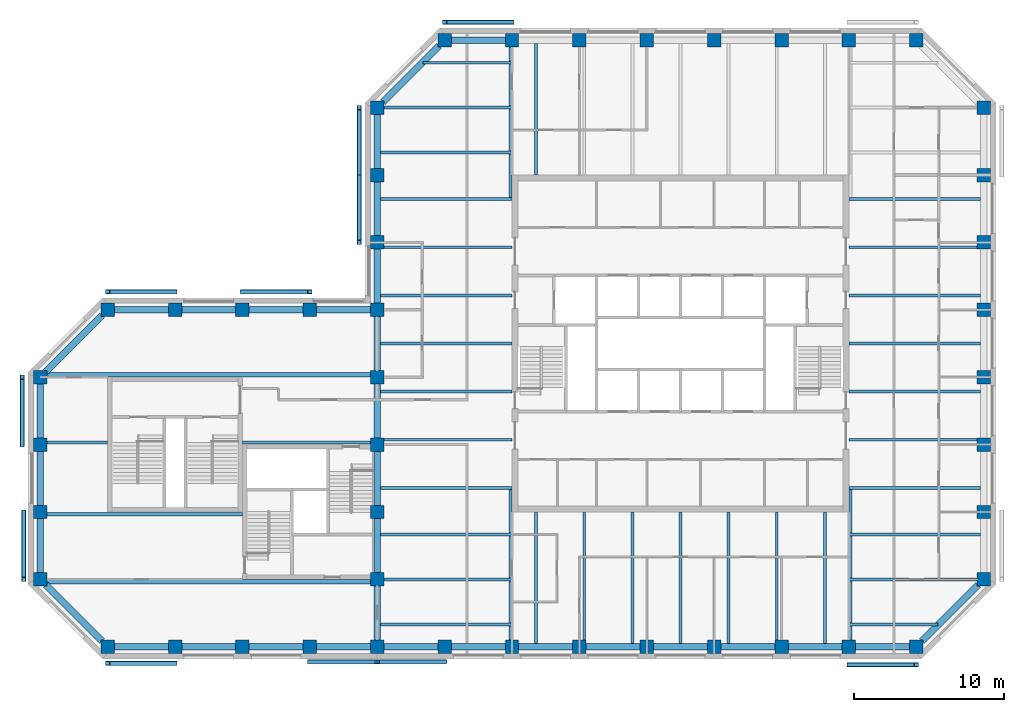
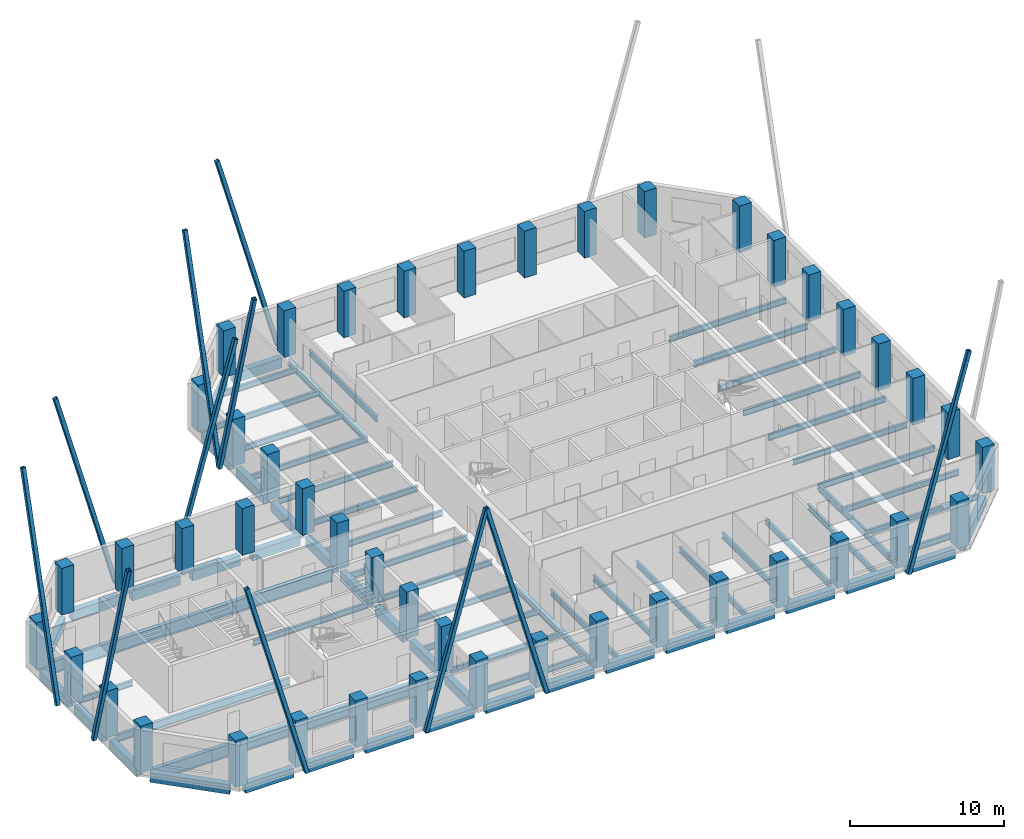
# One storey, part 1 of 9: 71 beams, 45 columns, 11 members.
"""IFC4 building model written with IfcOpenShell, lengths in metres."""

from ifc_helpers import new_model, si_unit, direction, frame, origin, origin_2d, place, context, subcontext, project, spatial, rectangle, hollow_rectangle, i_section, extrude, material, material_profile, profile_set, type_object, element, save


model = new_model("IFC4")

# Units and contexts
model_context = context("Model", 3, precision=1e-05, world=origin(), true_north=direction((0.0, 1.0)))
body_context = subcontext(model_context, "Body", "Model", "MODEL_VIEW")
ifc_project = project(units=[si_unit("LENGTHUNIT", "METRE"), si_unit("AREAUNIT", "SQUARE_METRE"), si_unit("VOLUMEUNIT", "CUBIC_METRE"), si_unit("PLANEANGLEUNIT", "RADIAN"), si_unit("MASSUNIT", "GRAM", prefix="KILO")], contexts=[model_context])

# Site, building, storey
site_placement = place(None, origin())
site = spatial("IfcSite", under=ifc_project, at=site_placement, CompositionType="ELEMENT")
building_placement = place(site_placement, origin())
building = spatial("IfcBuilding", under=site, at=building_placement, Name="Quoin Convention Tower", CompositionType="ELEMENT")
storey_placement = place(building_placement, frame((0.0, 0.0, 203.199951171875)))
storey = spatial("IfcBuildingStorey", under=building, at=storey_placement, Name="L53", CompositionType="ELEMENT", Elevation=203.199951171875)

# Columns
ifc_material_1 = material(Name="Concrete C50", Category="concrete")
ifc_material_profile_1 = material_profile(ifc_material_1, rectangle(XDim=0.89990234375, YDim=0.89990234375, at=origin_2d()), Name="RC 900x900")
ifc_profile_set_1 = profile_set([ifc_material_profile_1], Name="Concrete C50")
column_type = type_object("IfcColumnType", Name="RC 900x900 C50", PredefinedType="COLUMN", material=ifc_profile_set_1)
for number, where, z_axis, x_axis, name in (
    (1, (18.0, 40.5, 0.0), (0.0, 0.0, 1.0), (1.0, 0.0, 0.0), "col-L53-18000_40500"),
    (2, (22.5, 40.5, 0.0), (0.0, 0.0, 1.0), (1.0, 0.0, 0.0), "col-L53-22500_40500"),
    (3, (27.0, 40.5, 0.0), (0.0, 0.0, 1.0), (1.0, 0.0, 0.0), "col-L53-27000_40500"),
    (4, (31.5, 40.5, 0.0), (0.0, 0.0, 1.0), (1.0, 0.0, 0.0), "col-L53-31500_40500"),
    (5, (36.0, 40.5, 0.0), (0.0, 0.0, 1.0), (1.0, 0.0, 0.0), "col-L53-36000_40500"),
    (6, (40.5, 40.5, 0.0), (0.0, 0.0, 1.0), (1.0, 0.0, 0.0), "col-L53-40500_40500"),
    (7, (45.0, 40.5, 0.0), (0.0, 0.0, 1.0), (1.0, 0.0, 0.0), "col-L53-45000_40500"),
    (8, (49.5, 40.5, 0.0), (0.0, 0.0, 1.0), (1.0, 0.0, 0.0), "col-L53-49500_40500"),
    (9, (54.0, 40.5, 0.0), (0.0, 0.0, 1.0), (1.0, 0.0, 0.0), "col-L53-54000_40500"),
    (10, (58.5, 40.5, 0.0), (0.0, 0.0, 1.0), (1.0, 0.0, 0.0), "col-L53-58500_40500"),
    (11, (63.0, 40.5, 0.0), (0.0, 0.0, 1.0), (1.0, 0.0, 0.0), "col-L53-63000_40500"),
    (12, (67.5, 40.5, 0.0), (0.0, 0.0, 1.0), (1.0, 0.0, 0.0), "col-L53-67500_40500"),
    (13, (72.0, 40.5, 0.0), (0.0, 0.0, 1.0), (1.0, 0.0, 0.0), "col-L53-72000_40500"),
    (14, (13.5, 45.0, 0.0), (0.0, 0.0, 1.0), (1.0, 0.0, 0.0), "col-L53-13500_45000"),
    (15, (36.0, 45.0, 0.0), (0.0, 0.0, 1.0), (1.0, 0.0, 0.0), "web-L53-36000_45000"),
    (16, (76.5, 45.0, 0.0), (0.0, 0.0, 1.0), (1.0, 0.0, 0.0), "col-L53-76500_45000"),
    (17, (13.5, 49.5, 0.0), (0.0, 0.0, 1.0), (1.0, 0.0, 0.0), "col-L53-13500_49500"),
    (18, (36.0, 49.5, 0.0), (0.0, 0.0, 1.0), (1.0, 0.0, 0.0), "web-L53-36000_49500"),
    (19, (76.5, 49.5, 0.0), (0.0, 0.0, 1.0), (1.0, 0.0, 0.0), "col-L53-76500_49500"),
    (20, (13.5, 54.0, 0.0), (0.0, 0.0, 1.0), (1.0, 0.0, 0.0), "col-L53-13500_54000"),
    (21, (36.0, 54.0, 0.0), (0.0, 0.0, 1.0), (1.0, 0.0, 0.0), "web-L53-36000_54000"),
    (22, (76.5, 54.0, 0.0), (0.0, 0.0, 1.0), (1.0, 0.0, 0.0), "col-L53-76500_54000"),
    (23, (13.5, 58.5, 0.0), (0.0, 0.0, 1.0), (1.0, 0.0, 0.0), "col-L53-13500_58500"),
    (24, (36.0, 58.5, 0.0), (0.0, 0.0, 1.0), (1.0, 0.0, 0.0), "web-L53-36000_58500"),
    (25, (76.5, 58.5, 0.0), (0.0, 0.0, 1.0), (1.0, 0.0, 0.0), "col-L53-76500_58500"),
    (26, (18.0, 63.0, 0.0), (0.0, 0.0, 1.0), (1.0, 0.0, 0.0), "col-L53-18000_63000"),
    (27, (22.5, 63.0, 0.0), (0.0, 0.0, 1.0), (1.0, 0.0, 0.0), "col-L53-22500_63000"),
    (28, (27.0, 63.0, 0.0), (0.0, 0.0, 1.0), (1.0, 0.0, 0.0), "col-L53-27000_63000"),
    (29, (31.5, 63.0, 0.0), (0.0, 0.0, 1.0), (1.0, 0.0, 0.0), "col-L53-31500_63000"),
    (30, (36.0, 63.0, 0.0), (0.0, 0.0, 1.0), (1.0, 0.0, 0.0), "col-L53-36000_63000"),
    (31, (76.5, 63.0, 0.0), (0.0, 0.0, 1.0), (1.0, 0.0, 0.0), "col-L53-76500_63000"),
    (32, (36.0, 67.5, 0.0), (0.0, 0.0, 1.0), (1.0, 0.0, 0.0), "col-L53-36000_67500"),
    (33, (76.5, 67.5, 0.0), (0.0, 0.0, 1.0), (1.0, 0.0, 0.0), "col-L53-76500_67500"),
    (34, (36.0, 72.0, 0.0), (0.0, 0.0, 1.0), (1.0, 0.0, 0.0), "col-L53-36000_72000"),
    (35, (76.5, 72.0, 0.0), (0.0, 0.0, 1.0), (1.0, 0.0, 0.0), "col-L53-76500_72000"),
    (36, (36.0, 76.5, 0.0), (0.0, 0.0, 1.0), (1.0, 0.0, 0.0), "col-L53-36000_76500"),
    (37, (76.5, 76.5, 0.0), (0.0, 0.0, 1.0), (1.0, 0.0, 0.0), "col-L53-76500_76500"),
    (38, (40.5, 81.0, 0.0), (0.0, 0.0, 1.0), (1.0, 0.0, 0.0), "col-L53-40500_81000"),
    (39, (45.0, 81.0, 0.0), (0.0, 0.0, 1.0), (1.0, 0.0, 0.0), "col-L53-45000_81000"),
    (40, (49.5, 81.0, 0.0), (0.0, 0.0, 1.0), (1.0, 0.0, 0.0), "col-L53-49500_81000"),
    (41, (54.0, 81.0, 0.0), (0.0, 0.0, 1.0), (1.0, 0.0, 0.0), "col-L53-54000_81000"),
    (42, (58.5, 81.0, 0.0), (0.0, 0.0, 1.0), (1.0, 0.0, 0.0), "col-L53-58500_81000"),
    (43, (63.0, 81.0, 0.0), (0.0, 0.0, 1.0), (1.0, 0.0, 0.0), "col-L53-63000_81000"),
    (44, (67.5, 81.0, 0.0), (0.0, 0.0, 1.0), (1.0, 0.0, 0.0), "col-L53-67500_81000"),
    (45, (72.0, 81.0, 0.0), (0.0, 0.0, 1.0), (1.0, 0.0, 0.0), "col-L53-72000_81000"),
):
    element("IfcColumn", number, at=place(storey_placement, frame(where, z_axis=z_axis, x_axis=x_axis)), inside=storey, type_object=column_type, Name=name, PredefinedType="COLUMN", context=body_context, shape_type="SweptSolid", body=[
        extrude(rectangle(XDim=0.89990234375, YDim=0.89990234375, at=origin_2d()), origin(), (0.0, 0.0, 1.0), 3.699951171875),
    ])

# Beams
ifc_material_2 = material(Name="Steel Grade 300", Category="steel")
ifc_material_profile_2 = material_profile(ifc_material_2, i_section(OverallWidth=0.300048828125, OverallDepth=1.0, WebThickness=0.01611328125, FlangeThickness=0.02001953125, at=origin_2d()), Name="1000WB215")
ifc_profile_set_2 = profile_set([ifc_material_profile_2], Name="Steel Grade 300")
beam_type_1 = type_object("IfcBeamType", Name="1000WB215", PredefinedType="BEAM", material=ifc_profile_set_2)
for number, where, z_axis, x_axis, name in (
    (46, (13.949951171875, 44.85009765625, -0.64990234375), (1.0, 0.0, 0.0), (0.0, 1.0, 0.0), "gir-L53-ST2-1-0"),
    (47, (13.949951171875, 58.64990234375, -0.64990234375), (1.0, 0.0, 0.0), (0.0, 1.0, 0.0), "gir-L53-ST2-4-0"),
):
    element("IfcBeam", number, at=place(storey_placement, frame(where, z_axis=z_axis, x_axis=x_axis)), inside=storey, type_object=beam_type_1, Name=name, PredefinedType="BEAM", context=body_context, shape_type="SweptSolid", body=[
        extrude(i_section(OverallWidth=0.300048828125, OverallDepth=1.0, WebThickness=0.01611328125, FlangeThickness=0.02001953125, at=origin_2d()), origin(), (0.0, 0.0, 1.0), 21.60009765625),
    ])
ifc_material_profile_3 = material_profile(ifc_material_2, i_section(OverallWidth=0.18994140625, OverallDepth=0.4541015625, WebThickness=0.008544921875, FlangeThickness=0.0126953125, FilletRadius=0.011474609375, at=origin_2d()), Name="460UB67.1")
ifc_profile_set_3 = profile_set([ifc_material_profile_3], Name="Steel Grade 300")
beam_type_2 = type_object("IfcBeamType", Name="460UB67.1", PredefinedType="BEAM", material=ifc_profile_set_3)
beam_1_placement = place(storey_placement, frame((36.22509765625, 51.107177734375, -0.376953125), z_axis=(1.0, 0.0, 0.0), x_axis=(0.0, 1.0, 0.0)))
element("IfcBeam", 48, at=beam_1_placement, inside=storey, type_object=beam_type_2, Name="bm-L53-T1W0", PredefinedType="BEAM", context=body_context, shape_type="SweptSolid", body=[
    extrude(i_section(OverallWidth=0.18994140625, OverallDepth=0.4541015625, WebThickness=0.008544921875, FlangeThickness=0.0126953125, FilletRadius=0.011474609375, at=origin_2d()), origin(), (0.0, 0.0, 1.0), 8.77490234375),
])
beam_2_placement = place(storey_placement, frame((36.449951171875, 54.3212890625, -0.376953125), z_axis=(1.0, 0.0, 0.0), x_axis=(0.0, 1.0, 0.0)))
element("IfcBeam", 49, at=beam_2_placement, inside=storey, type_object=beam_type_2, Name="bm-L53-T1W1", PredefinedType="BEAM", context=body_context, shape_type="SweptSolid", body=[
    extrude(i_section(OverallWidth=0.18994140625, OverallDepth=0.4541015625, WebThickness=0.008544921875, FlangeThickness=0.0126953125, FilletRadius=0.011474609375, at=origin_2d()), origin(), (0.0, 0.0, 1.0), 8.550048828125),
])
for number, where, z_axis, x_axis, name in (
    (50, (36.22509765625, 57.53564453125, -0.376953125), (1.0, 0.0, 0.0), (0.0, 1.0, 0.0), "bm-L53-T1W2"),
    (51, (36.22509765625, 60.75, -0.376953125), (1.0, 0.0, 0.0), (0.0, 1.0, 0.0), "bm-L53-T1W3"),
    (52, (36.22509765625, 63.96435546875, -0.376953125), (1.0, 0.0, 0.0), (0.0, 1.0, 0.0), "bm-L53-T1W4"),
):
    element("IfcBeam", number, at=place(storey_placement, frame(where, z_axis=z_axis, x_axis=x_axis)), inside=storey, type_object=beam_type_2, Name=name, PredefinedType="BEAM", context=body_context, shape_type="SweptSolid", body=[
        extrude(i_section(OverallWidth=0.18994140625, OverallDepth=0.4541015625, WebThickness=0.008544921875, FlangeThickness=0.0126953125, FilletRadius=0.011474609375, at=origin_2d()), origin(), (0.0, 0.0, 1.0), 8.77490234375),
    ])
beam_3_placement = place(storey_placement, frame((36.449951171875, 67.1787109375, -0.376953125), z_axis=(1.0, 0.0, 0.0), x_axis=(0.0, 1.0, 0.0)))
element("IfcBeam", 53, at=beam_3_placement, inside=storey, type_object=beam_type_2, Name="bm-L53-T1W5", PredefinedType="BEAM", context=body_context, shape_type="SweptSolid", body=[
    extrude(i_section(OverallWidth=0.18994140625, OverallDepth=0.4541015625, WebThickness=0.008544921875, FlangeThickness=0.0126953125, FilletRadius=0.011474609375, at=origin_2d()), origin(), (0.0, 0.0, 1.0), 8.550048828125),
])
for number, where, z_axis, x_axis, name in (
    (54, (36.22509765625, 70.392822265625, -0.376953125), (1.0, 0.0, 0.0), (0.0, 1.0, 0.0), "bm-L53-T1W6"),
    (55, (67.5, 51.107177734375, -0.376953125), (1.0, 0.0, 0.0), (0.0, 1.0, 0.0), "bm-L53-T1E0"),
):
    element("IfcBeam", number, at=place(storey_placement, frame(where, z_axis=z_axis, x_axis=x_axis)), inside=storey, type_object=beam_type_2, Name=name, PredefinedType="BEAM", context=body_context, shape_type="SweptSolid", body=[
        extrude(i_section(OverallWidth=0.18994140625, OverallDepth=0.4541015625, WebThickness=0.008544921875, FlangeThickness=0.0126953125, FilletRadius=0.011474609375, at=origin_2d()), origin(), (0.0, 0.0, 1.0), 8.77490234375),
    ])
beam_4_placement = place(storey_placement, frame((67.5, 54.3212890625, -0.376953125), z_axis=(1.0, 0.0, 0.0), x_axis=(0.0, 1.0, 0.0)))
element("IfcBeam", 56, at=beam_4_placement, inside=storey, type_object=beam_type_2, Name="bm-L53-T1E1", PredefinedType="BEAM", context=body_context, shape_type="SweptSolid", body=[
    extrude(i_section(OverallWidth=0.18994140625, OverallDepth=0.4541015625, WebThickness=0.008544921875, FlangeThickness=0.0126953125, FilletRadius=0.011474609375, at=origin_2d()), origin(), (0.0, 0.0, 1.0), 8.550048828125),
])
for number, where, z_axis, x_axis, name in (
    (57, (67.5, 57.53564453125, -0.376953125), (1.0, 0.0, 0.0), (0.0, 1.0, 0.0), "bm-L53-T1E2"),
    (58, (67.5, 60.75, -0.376953125), (1.0, 0.0, 0.0), (0.0, 1.0, 0.0), "bm-L53-T1E3"),
    (59, (67.5, 63.96435546875, -0.376953125), (1.0, 0.0, 0.0), (0.0, 1.0, 0.0), "bm-L53-T1E4"),
):
    element("IfcBeam", number, at=place(storey_placement, frame(where, z_axis=z_axis, x_axis=x_axis)), inside=storey, type_object=beam_type_2, Name=name, PredefinedType="BEAM", context=body_context, shape_type="SweptSolid", body=[
        extrude(i_section(OverallWidth=0.18994140625, OverallDepth=0.4541015625, WebThickness=0.008544921875, FlangeThickness=0.0126953125, FilletRadius=0.011474609375, at=origin_2d()), origin(), (0.0, 0.0, 1.0), 8.77490234375),
    ])
beam_5_placement = place(storey_placement, frame((67.5, 67.1787109375, -0.376953125), z_axis=(1.0, 0.0, 0.0), x_axis=(0.0, 1.0, 0.0)))
element("IfcBeam", 60, at=beam_5_placement, inside=storey, type_object=beam_type_2, Name="bm-L53-T1E5", PredefinedType="BEAM", context=body_context, shape_type="SweptSolid", body=[
    extrude(i_section(OverallWidth=0.18994140625, OverallDepth=0.4541015625, WebThickness=0.008544921875, FlangeThickness=0.0126953125, FilletRadius=0.011474609375, at=origin_2d()), origin(), (0.0, 0.0, 1.0), 8.550048828125),
])
for number, where, z_axis, x_axis, name in (
    (61, (67.5, 70.392822265625, -0.376953125), (1.0, 0.0, 0.0), (0.0, 1.0, 0.0), "bm-L53-T1E6"),
    (62, (46.607177734375, 40.72509765625, -0.376953125), (0.0, 1.0, 0.0), (-1.0, 0.0, 0.0), "bm-L53-T1S0"),
):
    element("IfcBeam", number, at=place(storey_placement, frame(where, z_axis=z_axis, x_axis=x_axis)), inside=storey, type_object=beam_type_2, Name=name, PredefinedType="BEAM", context=body_context, shape_type="SweptSolid", body=[
        extrude(i_section(OverallWidth=0.18994140625, OverallDepth=0.4541015625, WebThickness=0.008544921875, FlangeThickness=0.0126953125, FilletRadius=0.011474609375, at=origin_2d()), origin(), (0.0, 0.0, 1.0), 8.77490234375),
    ])
beam_6_placement = place(storey_placement, frame((49.8212890625, 40.949951171875, -0.376953125), z_axis=(0.0, 1.0, 0.0), x_axis=(-1.0, 0.0, 0.0)))
element("IfcBeam", 63, at=beam_6_placement, inside=storey, type_object=beam_type_2, Name="bm-L53-T1S1", PredefinedType="BEAM", context=body_context, shape_type="SweptSolid", body=[
    extrude(i_section(OverallWidth=0.18994140625, OverallDepth=0.4541015625, WebThickness=0.008544921875, FlangeThickness=0.0126953125, FilletRadius=0.011474609375, at=origin_2d()), origin(), (0.0, 0.0, 1.0), 8.550048828125),
])
for number, where, z_axis, x_axis, name in (
    (64, (53.03564453125, 40.72509765625, -0.376953125), (0.0, 1.0, 0.0), (-1.0, 0.0, 0.0), "bm-L53-T1S2"),
    (65, (56.25, 40.72509765625, -0.376953125), (0.0, 1.0, 0.0), (-1.0, 0.0, 0.0), "bm-L53-T1S3"),
    (66, (59.46435546875, 40.72509765625, -0.376953125), (0.0, 1.0, 0.0), (-1.0, 0.0, 0.0), "bm-L53-T1S4"),
):
    element("IfcBeam", number, at=place(storey_placement, frame(where, z_axis=z_axis, x_axis=x_axis)), inside=storey, type_object=beam_type_2, Name=name, PredefinedType="BEAM", context=body_context, shape_type="SweptSolid", body=[
        extrude(i_section(OverallWidth=0.18994140625, OverallDepth=0.4541015625, WebThickness=0.008544921875, FlangeThickness=0.0126953125, FilletRadius=0.011474609375, at=origin_2d()), origin(), (0.0, 0.0, 1.0), 8.77490234375),
    ])
beam_7_placement = place(storey_placement, frame((62.6787109375, 40.949951171875, -0.376953125), z_axis=(0.0, 1.0, 0.0), x_axis=(-1.0, 0.0, 0.0)))
element("IfcBeam", 67, at=beam_7_placement, inside=storey, type_object=beam_type_2, Name="bm-L53-T1S5", PredefinedType="BEAM", context=body_context, shape_type="SweptSolid", body=[
    extrude(i_section(OverallWidth=0.18994140625, OverallDepth=0.4541015625, WebThickness=0.008544921875, FlangeThickness=0.0126953125, FilletRadius=0.011474609375, at=origin_2d()), origin(), (0.0, 0.0, 1.0), 8.550048828125),
])
for number, where, z_axis, x_axis, name in (
    (68, (65.892822265625, 40.72509765625, -0.376953125), (0.0, 1.0, 0.0), (-1.0, 0.0, 0.0), "bm-L53-T1S6"),
    (69, (46.607177734375, 72.0, -0.376953125), (0.0, 1.0, 0.0), (-1.0, 0.0, 0.0), "bm-L53-T1N0"),
    (70, (36.22509765625, 42.0, -0.376953125), (1.0, 0.0, 0.0), (0.0, 1.0, 0.0), "bm-L53-T1SW0"),
):
    element("IfcBeam", number, at=place(storey_placement, frame(where, z_axis=z_axis, x_axis=x_axis)), inside=storey, type_object=beam_type_2, Name=name, PredefinedType="BEAM", context=body_context, shape_type="SweptSolid", body=[
        extrude(i_section(OverallWidth=0.18994140625, OverallDepth=0.4541015625, WebThickness=0.008544921875, FlangeThickness=0.0126953125, FilletRadius=0.011474609375, at=origin_2d()), origin(), (0.0, 0.0, 1.0), 8.77490234375),
    ])
beam_8_placement = place(storey_placement, frame((36.449951171875, 45.0, -0.376953125), z_axis=(1.0, 0.0, 0.0), x_axis=(0.0, 1.0, 0.0)))
element("IfcBeam", 71, at=beam_8_placement, inside=storey, type_object=beam_type_2, Name="bm-L53-T1SW1", PredefinedType="BEAM", context=body_context, shape_type="SweptSolid", body=[
    extrude(i_section(OverallWidth=0.18994140625, OverallDepth=0.4541015625, WebThickness=0.008544921875, FlangeThickness=0.0126953125, FilletRadius=0.011474609375, at=origin_2d()), origin(), (0.0, 0.0, 1.0), 8.550048828125),
])
beam_9_placement = place(storey_placement, frame((36.22509765625, 48.0, -0.376953125), z_axis=(1.0, 0.0, 0.0), x_axis=(0.0, 1.0, 0.0)))
element("IfcBeam", 72, at=beam_9_placement, inside=storey, type_object=beam_type_2, Name="bm-L53-T1SW2", PredefinedType="BEAM", context=body_context, shape_type="SweptSolid", body=[
    extrude(i_section(OverallWidth=0.18994140625, OverallDepth=0.4541015625, WebThickness=0.008544921875, FlangeThickness=0.0126953125, FilletRadius=0.011474609375, at=origin_2d()), origin(), (0.0, 0.0, 1.0), 8.77490234375),
])
beam_10_placement = place(storey_placement, frame((67.5, 42.0, -0.376953125), z_axis=(1.0, 0.0, 0.0), x_axis=(0.0, 1.0, 0.0)))
element("IfcBeam", 73, at=beam_10_placement, inside=storey, type_object=beam_type_2, Name="bm-L53-T1SE0", PredefinedType="BEAM", context=body_context, shape_type="SweptSolid", body=[
    extrude(i_section(OverallWidth=0.18994140625, OverallDepth=0.4541015625, WebThickness=0.008544921875, FlangeThickness=0.0126953125, FilletRadius=0.011474609375, at=origin_2d()), origin(), (0.0, 0.0, 1.0), 5.935791015625),
])
beam_11_placement = place(storey_placement, frame((67.5, 45.0, -0.376953125), z_axis=(1.0, 0.0, 0.0), x_axis=(0.0, 1.0, 0.0)))
element("IfcBeam", 74, at=beam_11_placement, inside=storey, type_object=beam_type_2, Name="bm-L53-T1SE1", PredefinedType="BEAM", context=body_context, shape_type="SweptSolid", body=[
    extrude(i_section(OverallWidth=0.18994140625, OverallDepth=0.4541015625, WebThickness=0.008544921875, FlangeThickness=0.0126953125, FilletRadius=0.011474609375, at=origin_2d()), origin(), (0.0, 0.0, 1.0), 8.550048828125),
])
beam_12_placement = place(storey_placement, frame((67.5, 48.0, -0.376953125), z_axis=(1.0, 0.0, 0.0), x_axis=(0.0, 1.0, 0.0)))
element("IfcBeam", 75, at=beam_12_placement, inside=storey, type_object=beam_type_2, Name="bm-L53-T1SE2", PredefinedType="BEAM", context=body_context, shape_type="SweptSolid", body=[
    extrude(i_section(OverallWidth=0.18994140625, OverallDepth=0.4541015625, WebThickness=0.008544921875, FlangeThickness=0.0126953125, FilletRadius=0.011474609375, at=origin_2d()), origin(), (0.0, 0.0, 1.0), 8.77490234375),
])
beam_13_placement = place(storey_placement, frame((39.064208984375, 79.5, -0.376953125), z_axis=(1.0, 0.0, 0.0), x_axis=(0.0, 1.0, 0.0)))
element("IfcBeam", 76, at=beam_13_placement, inside=storey, type_object=beam_type_2, Name="bm-L53-T1NW0", PredefinedType="BEAM", context=body_context, shape_type="SweptSolid", body=[
    extrude(i_section(OverallWidth=0.18994140625, OverallDepth=0.4541015625, WebThickness=0.008544921875, FlangeThickness=0.0126953125, FilletRadius=0.011474609375, at=origin_2d()), origin(), (0.0, 0.0, 1.0), 5.935791015625),
])
beam_14_placement = place(storey_placement, frame((36.449951171875, 76.5, -0.376953125), z_axis=(1.0, 0.0, 0.0), x_axis=(0.0, 1.0, 0.0)))
element("IfcBeam", 77, at=beam_14_placement, inside=storey, type_object=beam_type_2, Name="bm-L53-T1NW1", PredefinedType="BEAM", context=body_context, shape_type="SweptSolid", body=[
    extrude(i_section(OverallWidth=0.18994140625, OverallDepth=0.4541015625, WebThickness=0.008544921875, FlangeThickness=0.0126953125, FilletRadius=0.011474609375, at=origin_2d()), origin(), (0.0, 0.0, 1.0), 8.550048828125),
])
beam_15_placement = place(storey_placement, frame((36.22509765625, 73.5, -0.376953125), z_axis=(1.0, 0.0, 0.0), x_axis=(0.0, 1.0, 0.0)))
element("IfcBeam", 78, at=beam_15_placement, inside=storey, type_object=beam_type_2, Name="bm-L53-T1NW2", PredefinedType="BEAM", context=body_context, shape_type="SweptSolid", body=[
    extrude(i_section(OverallWidth=0.18994140625, OverallDepth=0.4541015625, WebThickness=0.008544921875, FlangeThickness=0.0126953125, FilletRadius=0.011474609375, at=origin_2d()), origin(), (0.0, 0.0, 1.0), 8.77490234375),
])
beam_16_placement = place(storey_placement, frame((13.949951171875, 54.14990234375, -0.376953125), z_axis=(1.0, 0.0, 0.0), x_axis=(0.0, 1.0, 0.0)))
element("IfcBeam", 79, at=beam_16_placement, inside=storey, type_object=beam_type_2, Name="gir-L53-ST2-3-0", PredefinedType="BEAM", context=body_context, shape_type="SweptSolid", body=[
    extrude(i_section(OverallWidth=0.18994140625, OverallDepth=0.4541015625, WebThickness=0.008544921875, FlangeThickness=0.0126953125, FilletRadius=0.011474609375, at=origin_2d()), origin(), (0.0, 0.0, 1.0), 4.050048828125),
])
beam_17_placement = place(storey_placement, frame((27.0, 54.14990234375, -0.376953125), z_axis=(1.0, 0.0, 0.0), x_axis=(0.0, 1.0, 0.0)))
element("IfcBeam", 80, at=beam_17_placement, inside=storey, type_object=beam_type_2, Name="gir-L53-ST2-3-1", PredefinedType="BEAM", context=body_context, shape_type="SweptSolid", body=[
    extrude(i_section(OverallWidth=0.18994140625, OverallDepth=0.4541015625, WebThickness=0.008544921875, FlangeThickness=0.0126953125, FilletRadius=0.011474609375, at=origin_2d()), origin(), (0.0, 0.0, 1.0), 8.550048828125),
])
ifc_material_profile_4 = material_profile(ifc_material_2, i_section(OverallWidth=0.208984375, OverallDepth=0.528076171875, WebThickness=0.009521484375, FlangeThickness=0.01318359375, FilletRadius=0.013916015625, at=origin_2d()), Name="530UB82.0")
ifc_profile_set_4 = profile_set([ifc_material_profile_4], Name="Steel Grade 300")
beam_type_3 = type_object("IfcBeamType", Name="530UB82.0", PredefinedType="BEAM", material=ifc_profile_set_4)
for number, where, z_axis, x_axis, name in (
    (81, (44.904541015625, 40.949951171875, -0.4140625), (0.0, 1.0, 0.0), (-1.0, 0.0, 0.0), "gir-L53-T1SW"),
    (82, (67.595458984375, 40.949951171875, -0.4140625), (0.0, 1.0, 0.0), (-1.0, 0.0, 0.0), "gir-L53-T1SE"),
    (83, (44.904541015625, 80.550048828125, -0.4140625), (0.0, -1.0, 0.0), (1.0, 0.0, 0.0), "gir-L53-T1NW"),
):
    element("IfcBeam", number, at=place(storey_placement, frame(where, z_axis=z_axis, x_axis=x_axis)), inside=storey, type_object=beam_type_3, Name=name, PredefinedType="BEAM", context=body_context, shape_type="SweptSolid", body=[
        extrude(i_section(OverallWidth=0.208984375, OverallDepth=0.528076171875, WebThickness=0.009521484375, FlangeThickness=0.01318359375, FilletRadius=0.013916015625, at=origin_2d()), origin(), (0.0, 0.0, 1.0), 10.062255859375),
    ])
ifc_material_profile_5 = material_profile(ifc_material_2, i_section(OverallWidth=0.22802734375, OverallDepth=0.60205078125, WebThickness=0.010498046875, FlangeThickness=0.014892578125, FilletRadius=0.013916015625, at=origin_2d()), Name="610UB101")
ifc_profile_set_5 = profile_set([ifc_material_profile_5], Name="Steel Grade 300")
beam_type_4 = type_object("IfcBeamType", Name="610UB101", PredefinedType="BEAM", material=ifc_profile_set_5)
beam_18_placement = place(storey_placement, frame((13.949951171875, 49.35009765625, -0.450927734375), z_axis=(1.0, 0.0, 0.0), x_axis=(0.0, 1.0, 0.0)))
element("IfcBeam", 84, at=beam_18_placement, inside=storey, type_object=beam_type_4, Name="gir-L53-ST2-2-0", PredefinedType="BEAM", context=body_context, shape_type="SweptSolid", body=[
    extrude(i_section(OverallWidth=0.22802734375, OverallDepth=0.60205078125, WebThickness=0.010498046875, FlangeThickness=0.014892578125, FilletRadius=0.013916015625, at=origin_2d()), origin(), (0.0, 0.0, 1.0), 13.050048828125),
])

# Members
ifc_material_3 = material(Name="Steel C450L0", Category="steel")
ifc_material_profile_6 = material_profile(ifc_material_3, hollow_rectangle(XDim=0.300048828125, YDim=0.300048828125, WallThickness=0.012451171875, InnerFilletRadius=0.018798828125, OuterFilletRadius=0.03125, at=origin_2d()), Name="300x300x12.5SHS")
ifc_profile_set_6 = profile_set([ifc_material_profile_6], Name="Steel C450L0")
member_type = type_object("IfcMemberType", Name="Exposed brace 300x300x12.5SHS", PredefinedType="BRACE", material=ifc_profile_set_6)
for number, where, z_axis, x_axis, name in (
    (85, (12.300048828125, 54.0, -0.074951171875), (0.0, 0.26918462026, 0.963088594167), (-1.0, 0.0, 0.0), "brc-L53-13500_58500-13500_54000"),
    (86, (12.39990234375, 49.5, -0.074951171875), (0.0, -0.26918462026, 0.963088594167), (1.0, 0.0, 0.0), "brc-L53-13500_49500-13500_45000"),
    (87, (22.5, 39.39990234375, -0.074951171875), (-0.26918462026, 0.0, 0.963088594167), (0.0, -1.0, 0.0), "brc-L53-18000_40500-22500_40500"),
    (88, (31.5, 39.5, -0.074951171875), (0.26918462026, 0.0, 0.963088594167), (0.0, 1.0, 0.0), "brc-L53-31500_40500-36000_40500"),
    (89, (40.5, 39.5, -0.074951171875), (-0.26918462026, 0.0, 0.963088594167), (0.0, -1.0, 0.0), "brc-L53-36000_40500-40500_40500"),
    (90, (67.5, 39.300048828125, -0.074951171875), (0.26918462026, 0.0, 0.963088594167), (0.0, 1.0, 0.0), "brc-L53-67500_40500-72000_40500"),
    (91, (27.0, 64.199951171875, -0.074951171875), (0.26918462026, 0.0, 0.963088594167), (0.0, 1.0, 0.0), "brc-L53-31500_63000-27000_63000"),
    (92, (22.5, 64.199951171875, -0.074951171875), (-0.26918462026, 0.0, 0.963088594167), (0.0, -1.0, 0.0), "brc-L53-22500_63000-18000_63000"),
    (93, (34.800048828125, 72.0, -0.074951171875), (0.0, 0.26918462026, 0.963088594167), (-1.0, 0.0, 0.0), "brc-L53-36000_76500-36000_72000"),
    (94, (34.800048828125, 72.0, -0.074951171875), (0.0, -0.26918462026, 0.963088594167), (1.0, 0.0, 0.0), "brc-L53-36000_72000-36000_67500"),
    (95, (45.0, 82.199951171875, -0.074951171875), (-0.26918462026, 0.0, 0.963088594167), (0.0, -1.0, 0.0), "brc-L53-45000_81000-40500_81000"),
):
    element("IfcMember", number, at=place(storey_placement, frame(where, z_axis=z_axis, x_axis=x_axis)), inside=storey, type_object=member_type, Name=name, PredefinedType="BRACE", context=body_context, shape_type="SweptSolid", body=[
        extrude(hollow_rectangle(XDim=0.300048828125, YDim=0.300048828125, WallThickness=0.012451171875, InnerFilletRadius=0.018798828125, OuterFilletRadius=0.03125, at=origin_2d()), origin(), (0.0, 0.0, 1.0), 16.717041015625),
    ])

# Beams
ifc_material_profile_7 = material_profile(ifc_material_1, rectangle(XDim=0.449951171875, YDim=0.75, at=origin_2d()), Name="RC 450x750")
ifc_profile_set_7 = profile_set([ifc_material_profile_7], Name="Concrete C50")
beam_type_5 = type_object("IfcBeamType", Name="RC 450x750 C50", PredefinedType="SPANDREL", material=ifc_profile_set_7)
for number, where, z_axis, x_axis, name in (
    (96, (36.449951171875, 40.5, -0.52490234375), (1.0, 0.0, 0.0), (0.0, 1.0, 0.0), "spd-L53-36000_40500-40500_40500"),
    (97, (40.949951171875, 40.5, -0.52490234375), (1.0, 0.0, 0.0), (0.0, 1.0, 0.0), "spd-L53-40500_40500-45000_40500"),
    (98, (45.449951171875, 40.5, -0.52490234375), (1.0, 0.0, 0.0), (0.0, 1.0, 0.0), "spd-L53-45000_40500-49500_40500"),
    (99, (49.949951171875, 40.5, -0.52490234375), (1.0, 0.0, 0.0), (0.0, 1.0, 0.0), "spd-L53-49500_40500-54000_40500"),
    (100, (54.449951171875, 40.5, -0.52490234375), (1.0, 0.0, 0.0), (0.0, 1.0, 0.0), "spd-L53-54000_40500-58500_40500"),
    (101, (58.949951171875, 40.5, -0.52490234375), (1.0, 0.0, 0.0), (0.0, 1.0, 0.0), "spd-L53-58500_40500-63000_40500"),
    (102, (63.449951171875, 40.5, -0.52490234375), (1.0, 0.0, 0.0), (0.0, 1.0, 0.0), "spd-L53-63000_40500-67500_40500"),
    (103, (67.949951171875, 40.5, -0.52490234375), (1.0, 0.0, 0.0), (0.0, 1.0, 0.0), "spd-L53-67500_40500-72000_40500"),
):
    element("IfcBeam", number, at=place(storey_placement, frame(where, z_axis=z_axis, x_axis=x_axis)), inside=storey, type_object=beam_type_5, Name=name, PredefinedType="SPANDREL", context=body_context, shape_type="SweptSolid", body=[
        extrude(rectangle(XDim=0.449951171875, YDim=0.75, at=origin_2d()), origin(), (0.0, 0.0, 1.0), 3.60009765625),
    ])
beam_19_placement = place(storey_placement, frame((72.364990234375, 40.864990234375, -0.52490234375), z_axis=(0.707106781187, 0.707106781187, 0.0), x_axis=(-0.707106781187, 0.707106781187, 0.0)))
element("IfcBeam", 104, at=beam_19_placement, inside=storey, type_object=beam_type_5, Name="spd-L53-72000_40500-76500_45000", PredefinedType="SPANDREL", context=body_context, shape_type="SweptSolid", body=[
    extrude(rectangle(XDim=0.449951171875, YDim=0.75, at=origin_2d()), origin(), (0.0, 0.0, 1.0), 5.33154296875),
])
beam_20_placement = place(storey_placement, frame((44.550048828125, 81.0, -0.52490234375), z_axis=(-1.0, 0.0, 0.0), x_axis=(0.0, -1.0, 0.0)))
element("IfcBeam", 105, at=beam_20_placement, inside=storey, type_object=beam_type_5, Name="spd-L53-45000_81000-40500_81000", PredefinedType="SPANDREL", context=body_context, shape_type="SweptSolid", body=[
    extrude(rectangle(XDim=0.449951171875, YDim=0.75, at=origin_2d()), origin(), (0.0, 0.0, 1.0), 3.60009765625),
])
beam_21_placement = place(storey_placement, frame((40.135009765625, 80.635009765625, -0.52490234375), z_axis=(-0.707106781187, -0.707106781187, 0.0), x_axis=(0.707106781187, -0.707106781187, 0.0)))
element("IfcBeam", 106, at=beam_21_placement, inside=storey, type_object=beam_type_5, Name="spd-L53-40500_81000-36000_76500", PredefinedType="SPANDREL", context=body_context, shape_type="SweptSolid", body=[
    extrude(rectangle(XDim=0.449951171875, YDim=0.75, at=origin_2d()), origin(), (0.0, 0.0, 1.0), 5.33154296875),
])
for number, where, z_axis, x_axis, name in (
    (107, (36.0, 76.050048828125, -0.52490234375), (0.0, -1.0, 0.0), (1.0, 0.0, 0.0), "spd-L53-36000_76500-36000_72000"),
    (108, (36.0, 71.550048828125, -0.52490234375), (0.0, -1.0, 0.0), (1.0, 0.0, 0.0), "spd-L53-36000_72000-36000_67500"),
    (109, (36.0, 67.050048828125, -0.52490234375), (0.0, -1.0, 0.0), (1.0, 0.0, 0.0), "spd-L53-36000_67500-36000_63000"),
    (110, (35.550048828125, 63.0, -0.52490234375), (-1.0, 0.0, 0.0), (0.0, -1.0, 0.0), "spd-L53-36000_63000-31500_63000"),
    (111, (31.050048828125, 63.0, -0.52490234375), (-1.0, 0.0, 0.0), (0.0, -1.0, 0.0), "spd-L53-31500_63000-27000_63000"),
    (112, (26.550048828125, 63.0, -0.52490234375), (-1.0, 0.0, 0.0), (0.0, -1.0, 0.0), "spd-L53-27000_63000-22500_63000"),
    (113, (22.050048828125, 63.0, -0.52490234375), (-1.0, 0.0, 0.0), (0.0, -1.0, 0.0), "spd-L53-22500_63000-18000_63000"),
):
    element("IfcBeam", number, at=place(storey_placement, frame(where, z_axis=z_axis, x_axis=x_axis)), inside=storey, type_object=beam_type_5, Name=name, PredefinedType="SPANDREL", context=body_context, shape_type="SweptSolid", body=[
        extrude(rectangle(XDim=0.449951171875, YDim=0.75, at=origin_2d()), origin(), (0.0, 0.0, 1.0), 3.60009765625),
    ])
beam_22_placement = place(storey_placement, frame((17.635009765625, 62.635009765625, -0.52490234375), z_axis=(-0.707106781187, -0.707106781187, 0.0), x_axis=(0.707106781187, -0.707106781187, 0.0)))
element("IfcBeam", 114, at=beam_22_placement, inside=storey, type_object=beam_type_5, Name="spd-L53-18000_63000-13500_58500", PredefinedType="SPANDREL", context=body_context, shape_type="SweptSolid", body=[
    extrude(rectangle(XDim=0.449951171875, YDim=0.75, at=origin_2d()), origin(), (0.0, 0.0, 1.0), 5.33154296875),
])
for number, where, z_axis, x_axis, name in (
    (115, (13.5, 58.050048828125, -0.52490234375), (0.0, -1.0, 0.0), (1.0, 0.0, 0.0), "spd-L53-13500_58500-13500_54000"),
    (116, (13.5, 53.550048828125, -0.52490234375), (0.0, -1.0, 0.0), (1.0, 0.0, 0.0), "spd-L53-13500_54000-13500_49500"),
    (117, (13.5, 49.050048828125, -0.52490234375), (0.0, -1.0, 0.0), (1.0, 0.0, 0.0), "spd-L53-13500_49500-13500_45000"),
):
    element("IfcBeam", number, at=place(storey_placement, frame(where, z_axis=z_axis, x_axis=x_axis)), inside=storey, type_object=beam_type_5, Name=name, PredefinedType="SPANDREL", context=body_context, shape_type="SweptSolid", body=[
        extrude(rectangle(XDim=0.449951171875, YDim=0.75, at=origin_2d()), origin(), (0.0, 0.0, 1.0), 3.60009765625),
    ])
beam_23_placement = place(storey_placement, frame((13.864990234375, 44.635009765625, -0.52490234375), z_axis=(0.707106781187, -0.707106781187, 0.0), x_axis=(0.707106781187, 0.707106781187, 0.0)))
element("IfcBeam", 118, at=beam_23_placement, inside=storey, type_object=beam_type_5, Name="spd-L53-13500_45000-18000_40500", PredefinedType="SPANDREL", context=body_context, shape_type="SweptSolid", body=[
    extrude(rectangle(XDim=0.449951171875, YDim=0.75, at=origin_2d()), origin(), (0.0, 0.0, 1.0), 5.33154296875),
])
for number, where, z_axis, x_axis, name in (
    (119, (18.449951171875, 40.5, -0.52490234375), (1.0, 0.0, 0.0), (0.0, 1.0, 0.0), "spd-L53-18000_40500-22500_40500"),
    (120, (22.949951171875, 40.5, -0.52490234375), (1.0, 0.0, 0.0), (0.0, 1.0, 0.0), "spd-L53-22500_40500-27000_40500"),
    (121, (27.449951171875, 40.5, -0.52490234375), (1.0, 0.0, 0.0), (0.0, 1.0, 0.0), "spd-L53-27000_40500-31500_40500"),
    (122, (31.949951171875, 40.5, -0.52490234375), (1.0, 0.0, 0.0), (0.0, 1.0, 0.0), "spd-L53-31500_40500-36000_40500"),
    (123, (36.0, 40.949951171875, -0.52490234375), (0.0, 1.0, 0.0), (-1.0, 0.0, 0.0), "spd-L53-36000_40500-36000_45000"),
    (124, (36.0, 45.449951171875, -0.52490234375), (0.0, 1.0, 0.0), (-1.0, 0.0, 0.0), "spd-L53-36000_45000-36000_49500"),
    (125, (36.0, 49.949951171875, -0.52490234375), (0.0, 1.0, 0.0), (-1.0, 0.0, 0.0), "spd-L53-36000_49500-36000_54000"),
    (126, (36.0, 54.449951171875, -0.52490234375), (0.0, 1.0, 0.0), (-1.0, 0.0, 0.0), "spd-L53-36000_54000-36000_58500"),
    (127, (36.0, 58.949951171875, -0.52490234375), (0.0, 1.0, 0.0), (-1.0, 0.0, 0.0), "spd-L53-36000_58500-36000_63000"),
):
    element("IfcBeam", number, at=place(storey_placement, frame(where, z_axis=z_axis, x_axis=x_axis)), inside=storey, type_object=beam_type_5, Name=name, PredefinedType="SPANDREL", context=body_context, shape_type="SweptSolid", body=[
        extrude(rectangle(XDim=0.449951171875, YDim=0.75, at=origin_2d()), origin(), (0.0, 0.0, 1.0), 3.60009765625),
    ])

save(model, "model.ifc")
